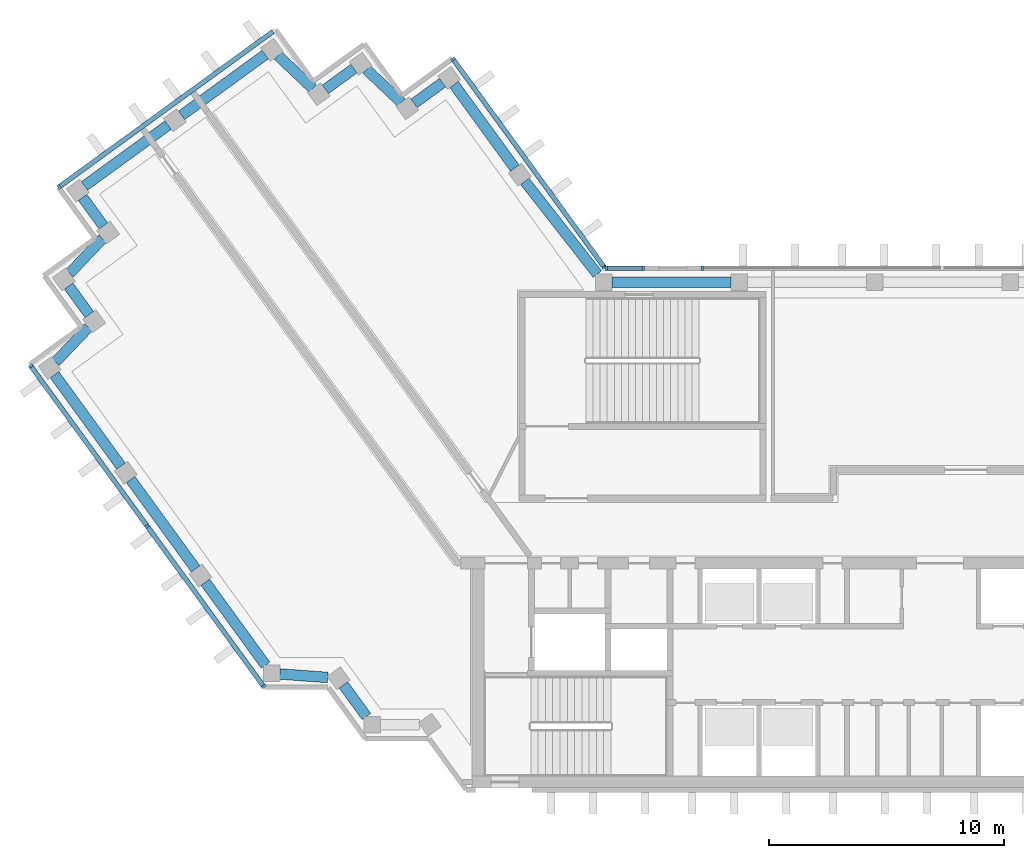
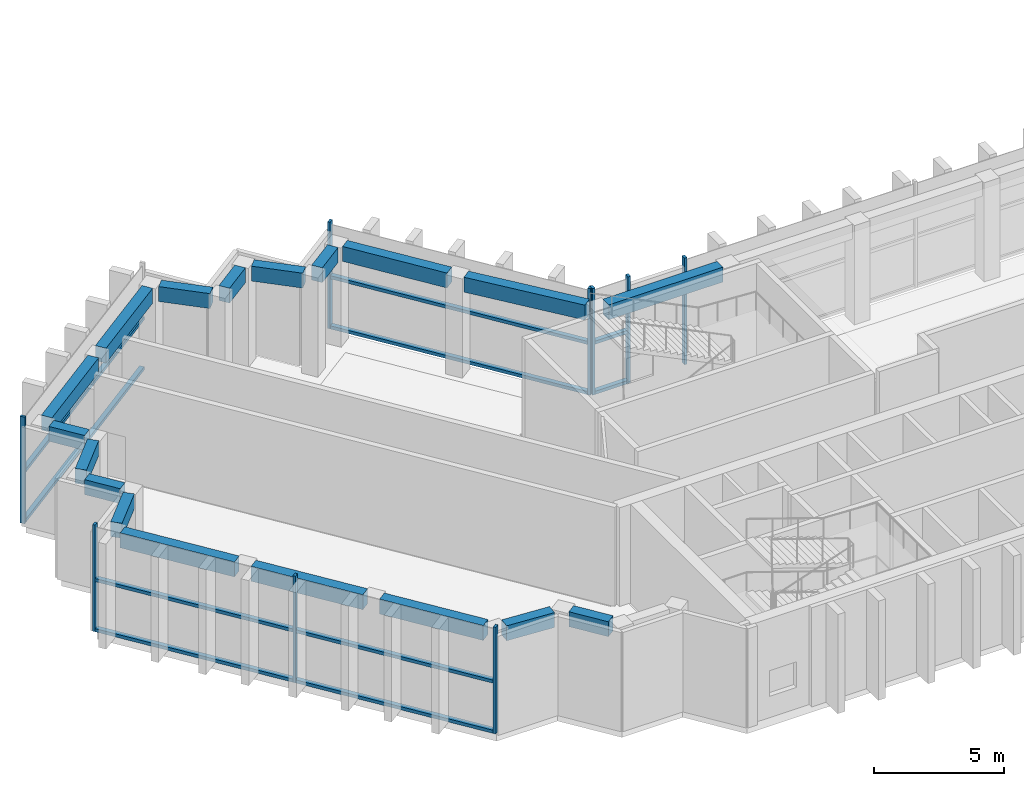
# One storey, part 2 of 14: 19 members, 18 beams, 5 elements without a shape of their own.
"""IFC4 building model written with IfcOpenShell, lengths in metres."""

from ifc_helpers import new_model, si_unit, direction, frame, origin, origin_2d, place, context, subcontext, project, spatial, rectangle, extrude, material, material_profile, profile_set, type_object, element, aggregate, save


model = new_model("IFC4")

# Units and contexts
model_context = context("Model", 3, precision=1e-05, world=origin(), true_north=direction((0.0, 1.0)))
body_context = subcontext(model_context, "Body", "Model", "MODEL_VIEW")
ifc_project = project(units=[si_unit("LENGTHUNIT", "METRE"), si_unit("AREAUNIT", "SQUARE_METRE"), si_unit("VOLUMEUNIT", "CUBIC_METRE"), si_unit("PLANEANGLEUNIT", "RADIAN"), si_unit("MASSUNIT", "GRAM", prefix="KILO")], contexts=[model_context])

# Site, building, storey
site_placement = place(None, origin())
site = spatial("IfcSite", under=ifc_project, at=site_placement, CompositionType="ELEMENT")
building_placement = place(site_placement, origin())
building = spatial("IfcBuilding", under=site, at=building_placement, Name="Quipu Civic Tower", CompositionType="ELEMENT")
storey_placement = place(building_placement, frame((0.0, 0.0, 248.0)))
storey = spatial("IfcBuildingStorey", under=building, at=storey_placement, Name="L58", CompositionType="ELEMENT", Elevation=248.0)

# Curtain wall, members
ifc_material_1 = material(Name="Insulated glass unit", Category="glass")
curtain_wall_type = type_object("IfcCurtainWallType", Name="Sky lobby and refuge curtain wall CW5", PredefinedType="NOTDEFINED", material=ifc_material_1)
curtain_wall_1_placement = place(storey_placement, origin())
curtain_wall_1 = element("IfcCurtainWall", 1, at=curtain_wall_1_placement, inside=storey, type_object=curtain_wall_type, Name="Sky lobby and refuge curtain wall CW5 L58 run 1", PredefinedType="NOTDEFINED")
ifc_material_2 = material(Name="Anodised aluminium", Category="aluminium")
ifc_material_profile_1 = material_profile(ifc_material_2, rectangle(XDim=0.199951171875, YDim=0.110107421875, at=origin_2d()), Name="RECT 200x110")
ifc_profile_set_1 = profile_set([ifc_material_profile_1], Name="Anodised aluminium")
member_type_1 = type_object("IfcMemberType", Name="Mullion CW5", PredefinedType="MULLION", material=ifc_profile_set_1)
member_1_placement = place(storey_placement, frame((-14.37646484375, 11.14453125, 0.074951171875), z_axis=(0.0, 0.0, 1.0), x_axis=(-0.809015163947, -0.587787771652, 0.0)))
member_1 = element("IfcMember", 2, at=member_1_placement, type_object=member_type_1, Name="CW5 mullion 1", PredefinedType="MULLION", context=body_context, shape_type="SweptSolid", body=[
    extrude(rectangle(XDim=0.199951171875, YDim=0.110107421875, at=origin_2d()), origin(), (0.0, 0.0, 1.0), 5.0),
])
member_2_placement = place(storey_placement, frame((-20.803466796875, 19.990478515625, 0.074951171875), z_axis=(0.0, 0.0, 1.0), x_axis=(-0.809015163947, -0.587787771652, 0.0)))
member_2 = element("IfcMember", 3, at=member_2_placement, type_object=member_type_1, Name="CW5 mullion 2", PredefinedType="MULLION", context=body_context, shape_type="SweptSolid", body=[
    extrude(rectangle(XDim=0.199951171875, YDim=0.110107421875, at=origin_2d()), origin(), (0.0, 0.0, 1.0), 5.0),
])

# Curtain wall, member
curtain_wall_2_placement = place(storey_placement, origin())
curtain_wall_2 = element("IfcCurtainWall", 4, at=curtain_wall_2_placement, inside=storey, type_object=curtain_wall_type, Name="Sky lobby and refuge curtain wall CW5 L58 run 6", PredefinedType="NOTDEFINED")
member_3_placement = place(storey_placement, frame((-37.556884765625, 14.561279296875, 0.074951171875), z_axis=(0.0, 0.0, 1.0), x_axis=(0.587787753918, -0.809015176832, 0.0)))
member_3 = element("IfcMember", 5, at=member_3_placement, type_object=member_type_1, Name="CW5 mullion 2", PredefinedType="MULLION", context=body_context, shape_type="SweptSolid", body=[
    extrude(rectangle(XDim=0.199951171875, YDim=0.110107421875, at=origin_2d()), origin(), (0.0, 0.0, 1.0), 5.0),
])

# Curtain wall, members
curtain_wall_3_placement = place(storey_placement, origin())
curtain_wall_3 = element("IfcCurtainWall", 6, at=curtain_wall_3_placement, inside=storey, type_object=curtain_wall_type, Name="Sky lobby and refuge curtain wall CW5 L58 run 11", PredefinedType="NOTDEFINED")
member_4_placement = place(storey_placement, frame((-38.763671875, 6.941650390625, 0.074951171875), z_axis=(0.0, 0.0, 1.0), x_axis=(0.809016278475, 0.587786237643, 0.0)))
member_4 = element("IfcMember", 7, at=member_4_placement, type_object=member_type_1, Name="CW5 mullion 1", PredefinedType="MULLION", context=body_context, shape_type="SweptSolid", body=[
    extrude(rectangle(XDim=0.199951171875, YDim=0.110107421875, at=origin_2d()), origin(), (0.0, 0.0, 1.0), 5.0),
])
member_5_placement = place(storey_placement, frame((-33.81298828125, 0.12744140625, 0.074951171875), z_axis=(0.0, 0.0, 1.0), x_axis=(0.809016278475, 0.587786237643, 0.0)))
member_5 = element("IfcMember", 8, at=member_5_placement, type_object=member_type_1, Name="CW5 mullion 2", PredefinedType="MULLION", context=body_context, shape_type="SweptSolid", body=[
    extrude(rectangle(XDim=0.199951171875, YDim=0.110107421875, at=origin_2d()), origin(), (0.0, 0.0, 1.0), 5.0),
])
member_6_placement = place(storey_placement, frame((-28.862060546875, -6.686767578125, 0.074951171875), z_axis=(0.0, 0.0, 1.0), x_axis=(0.809016278475, 0.587786237643, 0.0)))
member_6 = element("IfcMember", 9, at=member_6_placement, type_object=member_type_1, Name="CW5 mullion 3", PredefinedType="MULLION", context=body_context, shape_type="SweptSolid", body=[
    extrude(rectangle(XDim=0.199951171875, YDim=0.110107421875, at=origin_2d()), origin(), (0.0, 0.0, 1.0), 5.0),
])

# Curtain wall, member
curtain_wall_4_placement = place(storey_placement, origin())
curtain_wall_4 = element("IfcCurtainWall", 10, at=curtain_wall_4_placement, inside=storey, type_object=curtain_wall_type, Name="Sky lobby and refuge curtain wall CW5 L58 run 36", PredefinedType="NOTDEFINED")
member_7_placement = place(storey_placement, frame((-10.20849609375, 11.10009765625, 0.074951171875), z_axis=(0.0, 0.0, 1.0), x_axis=(0.0, -1.0, 0.0)))
member_7 = element("IfcMember", 11, at=member_7_placement, type_object=member_type_1, Name="CW5 mullion 3", PredefinedType="MULLION", context=body_context, shape_type="SweptSolid", body=[
    extrude(rectangle(XDim=0.199951171875, YDim=0.110107421875, at=origin_2d()), origin(), (0.0, 0.0, 1.0), 5.0),
])
aggregate(curtain_wall_4, [member_7])

# Curtain wall, members
curtain_wall_5_placement = place(storey_placement, origin())
curtain_wall_5 = element("IfcCurtainWall", 12, at=curtain_wall_5_placement, inside=storey, type_object=curtain_wall_type, Name="Sky lobby and refuge curtain wall CW5 L58 run 38", PredefinedType="NOTDEFINED")
member_8_placement = place(storey_placement, frame((-12.7099609375, 11.10009765625, 0.074951171875), z_axis=(0.0, 0.0, 1.0), x_axis=(0.0, -1.0, 0.0)))
member_8 = element("IfcMember", 13, at=member_8_placement, type_object=member_type_1, Name="CW5 mullion 1", PredefinedType="MULLION", context=body_context, shape_type="SweptSolid", body=[
    extrude(rectangle(XDim=0.199951171875, YDim=0.110107421875, at=origin_2d()), origin(), (0.0, 0.0, 1.0), 5.0),
])
member_9_placement = place(storey_placement, frame((-14.289306640625, 11.10009765625, 0.074951171875), z_axis=(0.0, 0.0, 1.0), x_axis=(0.0, -1.0, 0.0)))
member_9 = element("IfcMember", 14, at=member_9_placement, type_object=member_type_1, Name="CW5 mullion 2", PredefinedType="MULLION", context=body_context, shape_type="SweptSolid", body=[
    extrude(rectangle(XDim=0.199951171875, YDim=0.110107421875, at=origin_2d()), origin(), (0.0, 0.0, 1.0), 5.0),
])

# Beams
ifc_material_3 = material(Name="Concrete C50/60", Category="concrete")
ifc_material_profile_2 = material_profile(ifc_material_3, rectangle(XDim=0.449951171875, YDim=0.699951171875, at=origin_2d()), Name="RC450x700")
ifc_profile_set_2 = profile_set([ifc_material_profile_2], Name="Concrete C50/60")
beam_type = type_object("IfcBeamType", Name="Spandrel beam RC 450x700 C50/60", PredefinedType="SPANDREL", material=ifc_profile_set_2)
beam_1_placement = place(storey_placement, frame((-18.179443359375, 15.358154296875, 4.300048828125), z_axis=(-0.588201428764, 0.808714460857, 0.0), x_axis=(-0.808714460857, -0.588201428764, 0.0)))
element("IfcBeam", 15, at=beam_1_placement, inside=storey, type_object=beam_type, Name="Spandrel beam L58 W-IN-01 to T-Wi.0-W22", PredefinedType="SPANDREL", context=body_context, shape_type="SweptSolid", body=[
    extrude(rectangle(XDim=0.449951171875, YDim=0.699951171875, at=origin_2d()), origin(), (0.0, 0.0, 1.0), 4.394287109375),
])
beam_2_placement = place(storey_placement, frame((-21.25341796875, 18.989501953125, 4.300048828125), z_axis=(-0.809461336076, -0.587173181776, 0.0), x_axis=(0.587173181776, -0.809461336076, 0.0)))
element("IfcBeam", 16, at=beam_2_placement, inside=storey, type_object=beam_type, Name="Spandrel beam L58 T-Wi.0-W22 to T-Wi.1-W22", PredefinedType="SPANDREL", context=body_context, shape_type="SweptSolid", body=[
    extrude(rectangle(XDim=0.449951171875, YDim=0.699951171875, at=origin_2d()), origin(), (0.0, 0.0, 1.0), 1.498046875),
])
beam_3_placement = place(storey_placement, frame((-23.00732421875, 18.1494140625, 4.300048828125), z_axis=(-0.72511931772, 0.6886232461, 0.0), x_axis=(-0.6886232461, -0.72511931772, 0.0)))
element("IfcBeam", 17, at=beam_3_placement, inside=storey, type_object=beam_type, Name="Spandrel beam L58 T-Wi.1-W22 to T-Wi.2-W22", PredefinedType="SPANDREL", context=body_context, shape_type="SweptSolid", body=[
    extrude(rectangle(XDim=0.449951171875, YDim=0.699951171875, at=origin_2d()), origin(), (0.0, 0.0, 1.0), 2.03369140625),
])
beam_4_placement = place(storey_placement, frame((-25.02294921875, 19.589111328125, 4.300048828125), z_axis=(-0.808644589435, -0.588297482553, 0.0), x_axis=(0.588297482553, -0.808644589435, 0.0)))
element("IfcBeam", 18, at=beam_4_placement, inside=storey, type_object=beam_type, Name="Spandrel beam L58 T-Wi.2-W22 to T-Wi.3-W22", PredefinedType="SPANDREL", context=body_context, shape_type="SweptSolid", body=[
    extrude(rectangle(XDim=0.449951171875, YDim=0.699951171875, at=origin_2d()), origin(), (0.0, 0.0, 1.0), 1.500244140625),
])
beam_5_placement = place(storey_placement, frame((-26.777099609375, 18.74560546875, 4.300048828125), z_axis=(-0.725359138958, 0.688370626574, 0.0), x_axis=(-0.688370626574, -0.725359138958, 0.0)))
element("IfcBeam", 19, at=beam_5_placement, inside=storey, type_object=beam_type, Name="Spandrel beam L58 T-Wi.3-W22 to T-Wi.4-W22", PredefinedType="SPANDREL", context=body_context, shape_type="SweptSolid", body=[
    extrude(rectangle(XDim=0.449951171875, YDim=0.699951171875, at=origin_2d()), origin(), (0.0, 0.0, 1.0), 2.032958984375),
])
beam_6_placement = place(storey_placement, frame((-28.793212890625, 20.184326171875, 4.300048828125), z_axis=(-0.809146152767, -0.587607439931, 0.0), x_axis=(0.587607439931, -0.809146152767, 0.0)))
element("IfcBeam", 20, at=beam_6_placement, inside=storey, type_object=beam_type, Name="Spandrel beam L58 T-Wi.4-W22 to TIP-W-01-W22", PredefinedType="SPANDREL", context=body_context, shape_type="SweptSolid", body=[
    extrude(rectangle(XDim=0.449951171875, YDim=0.699951171875, at=origin_2d()), origin(), (0.0, 0.0, 1.0), 4.400390625),
])
beam_7_placement = place(storey_placement, frame((-32.920166015625, 17.187255859375, 4.300048828125), z_axis=(-0.809117270763, -0.587647208921, 0.0), x_axis=(0.587647208921, -0.809117270763, 0.0)))
element("IfcBeam", 21, at=beam_7_placement, inside=storey, type_object=beam_type, Name="Spandrel beam L58 TIP-W-01-W22 to T-Wo.0-W22", PredefinedType="SPANDREL", context=body_context, shape_type="SweptSolid", body=[
    extrude(rectangle(XDim=0.449951171875, YDim=0.699951171875, at=origin_2d()), origin(), (0.0, 0.0, 1.0), 4.40185546875),
])
beam_8_placement = place(storey_placement, frame((-36.55908203125, 14.112060546875, 4.300048828125), z_axis=(0.588345920092, -0.808609348394, 0.0), x_axis=(0.808609348394, 0.588345920092, 0.0)))
element("IfcBeam", 22, at=beam_8_placement, inside=storey, type_object=beam_type, Name="Spandrel beam L58 T-Wo.0-W22 to T-Wo.1-W22", PredefinedType="SPANDREL", context=body_context, shape_type="SweptSolid", body=[
    extrude(rectangle(XDim=0.449951171875, YDim=0.699951171875, at=origin_2d()), origin(), (0.0, 0.0, 1.0), 1.499755859375),
])
beam_9_placement = place(storey_placement, frame((-35.7158203125, 12.358154296875, 4.300048828125), z_axis=(-0.688247466856, -0.725475998477, 0.0), x_axis=(0.725475998477, -0.688247466856, 0.0)))
element("IfcBeam", 23, at=beam_9_placement, inside=storey, type_object=beam_type, Name="Spandrel beam L58 T-Wo.1-W22 to T-Wo.2-W22", PredefinedType="SPANDREL", context=body_context, shape_type="SweptSolid", body=[
    extrude(rectangle(XDim=0.449951171875, YDim=0.699951171875, at=origin_2d()), origin(), (0.0, 0.0, 1.0), 2.032958984375),
])
beam_10_placement = place(storey_placement, frame((-37.154541015625, 10.341796875, 4.300048828125), z_axis=(0.587164895097, -0.809467347066, 0.0), x_axis=(0.809467347066, 0.587164895097, 0.0)))
element("IfcBeam", 24, at=beam_10_placement, inside=storey, type_object=beam_type, Name="Spandrel beam L58 T-Wo.2-W22 to T-Wo.3-W22", PredefinedType="SPANDREL", context=body_context, shape_type="SweptSolid", body=[
    extrude(rectangle(XDim=0.449951171875, YDim=0.699951171875, at=origin_2d()), origin(), (0.0, 0.0, 1.0), 1.500244140625),
])
beam_11_placement = place(storey_placement, frame((-36.3134765625, 8.586181640625, 4.300048828125), z_axis=(-0.689175330605, -0.724594620244, 0.0), x_axis=(0.724594620244, -0.689175330605, 0.0)))
element("IfcBeam", 25, at=beam_11_placement, inside=storey, type_object=beam_type, Name="Spandrel beam L58 T-Wo.3-W22 to T-Wo.4-W22", PredefinedType="SPANDREL", context=body_context, shape_type="SweptSolid", body=[
    extrude(rectangle(XDim=0.449951171875, YDim=0.699951171875, at=origin_2d()), origin(), (0.0, 0.0, 1.0), 2.033447265625),
])
beam_12_placement = place(storey_placement, frame((-37.754150390625, 6.57177734375, 4.300048828125), z_axis=(0.587905928359, -0.808929304328, 0.0), x_axis=(0.808929304328, 0.587905928359, 0.0)))
element("IfcBeam", 26, at=beam_12_placement, inside=storey, type_object=beam_type, Name="Spandrel beam L58 T-Wo.4-W22 to W-OUT-02", PredefinedType="SPANDREL", context=body_context, shape_type="SweptSolid", body=[
    extrude(rectangle(XDim=0.449951171875, YDim=0.699951171875, at=origin_2d()), origin(), (0.0, 0.0, 1.0), 4.80712890625),
])
beam_13_placement = place(storey_placement, frame((-34.5166015625, 2.116943359375, 4.300048828125), z_axis=(0.587788656305, -0.809014521204, 0.0), x_axis=(0.809014521204, 0.587788656305, 0.0)))
element("IfcBeam", 27, at=beam_13_placement, inside=storey, type_object=beam_type, Name="Spandrel beam L58 W-OUT-02 to W-OUT-01", PredefinedType="SPANDREL", context=body_context, shape_type="SweptSolid", body=[
    extrude(rectangle(XDim=0.449951171875, YDim=0.699951171875, at=origin_2d()), origin(), (0.0, 0.0, 1.0), 4.7001953125),
])
beam_14_placement = place(storey_placement, frame((-31.342529296875, -2.251953125, 4.300048828125), z_axis=(0.58777550284, -0.809024077677, 0.0), x_axis=(0.809024077677, 0.58777550284, 0.0)))
element("IfcBeam", 28, at=beam_14_placement, inside=storey, type_object=beam_type, Name="Spandrel beam L58 W-OUT-01 to J-Wo.0", PredefinedType="SPANDREL", context=body_context, shape_type="SweptSolid", body=[
    extrude(rectangle(XDim=0.449951171875, YDim=0.699951171875, at=origin_2d()), origin(), (0.0, 0.0, 1.0), 4.36083984375),
])
beam_15_placement = place(storey_placement, frame((-28.175048828125, -6.155517578125, 4.300048828125), z_axis=(0.99737333325, -0.072432272649, 0.0), x_axis=(0.072432272649, 0.99737333325, 0.0)))
element("IfcBeam", 29, at=beam_15_placement, inside=storey, type_object=beam_type, Name="Spandrel beam L58 J-Wo.0 to J-Wo.1", PredefinedType="SPANDREL", context=body_context, shape_type="SweptSolid", body=[
    extrude(rectangle(XDim=0.449951171875, YDim=0.699951171875, at=origin_2d()), origin(), (0.0, 0.0, 1.0), 2.04931640625),
])
beam_16_placement = place(storey_placement, frame((-25.468505859375, -6.6201171875, 4.300048828125), z_axis=(0.588407300614, -0.80856468423, 0.0), x_axis=(0.80856468423, 0.588407300614, 0.0)))
element("IfcBeam", 30, at=beam_16_placement, inside=storey, type_object=beam_type, Name="Spandrel beam L58 J-Wo.1 to J-Wo.2", PredefinedType="SPANDREL", context=body_context, shape_type="SweptSolid", body=[
    extrude(rectangle(XDim=0.449951171875, YDim=0.699951171875, at=origin_2d()), origin(), (0.0, 0.0, 1.0), 1.663330078125),
])
beam_17_placement = place(storey_placement, frame((-8.987060546875, 10.5, 4.300048828125), z_axis=(-1.0, 0.0, 0.0), x_axis=(0.0, -1.0, 0.0)))
element("IfcBeam", 31, at=beam_17_placement, inside=storey, type_object=beam_type, Name="Spandrel beam L58 FRONT-04 to J-Wi.0", PredefinedType="SPANDREL", context=body_context, shape_type="SweptSolid", body=[
    extrude(rectangle(XDim=0.449951171875, YDim=0.699951171875, at=origin_2d()), origin(), (0.0, 0.0, 1.0), 5.05810546875),
])
beam_18_placement = place(storey_placement, frame((-14.6689453125, 10.85009765625, 4.300048828125), z_axis=(-0.616106034519, 0.787663223865, 0.0), x_axis=(-0.787663223865, -0.616106034519, 0.0)))
element("IfcBeam", 32, at=beam_18_placement, inside=storey, type_object=beam_type, Name="Spandrel beam L58 J-Wi.0 to W-IN-01", PredefinedType="SPANDREL", context=body_context, shape_type="SweptSolid", body=[
    extrude(rectangle(XDim=0.449951171875, YDim=0.699951171875, at=origin_2d()), origin(), (0.0, 0.0, 1.0), 5.013427734375),
])

# Member
ifc_material_4 = material(Name="Anodised aluminium", Category="aluminium")
ifc_material_profile_3 = material_profile(ifc_material_4, rectangle(XDim=0.199951171875, YDim=0.14990234375, at=origin_2d()), Name="RECT 200x150")
ifc_profile_set_3 = profile_set([ifc_material_profile_3], Name="Anodised aluminium")
member_type_2 = type_object("IfcMemberType", Name="Transom CW5", PredefinedType="USERDEFINED", material=ifc_profile_set_3)
member_10_placement = place(storey_placement, frame((-14.408935546875, 11.18896484375, 0.14990234375), z_axis=(-0.587780027336, 0.809020790503, 0.0), x_axis=(-0.809020790503, -0.587780027336, 0.0)))
member_10 = element("IfcMember", 33, at=member_10_placement, type_object=member_type_2, Name="CW5 transom 1.1", ObjectType="TRANSOM", PredefinedType="USERDEFINED", context=body_context, shape_type="SweptSolid", body=[
    extrude(rectangle(XDim=0.199951171875, YDim=0.14990234375, at=origin_2d()), origin(), (0.0, 0.0, 1.0), 10.82421875),
])

member_11_placement = place(storey_placement, frame((-14.408935546875, 11.18896484375, 2.5), z_axis=(-0.587780027336, 0.809020790503, 0.0), x_axis=(-0.809020790503, -0.587780027336, 0.0)))
member_11 = element("IfcMember", 34, at=member_11_placement, type_object=member_type_2, Name="CW5 transom 1.2", ObjectType="TRANSOM", PredefinedType="USERDEFINED", context=body_context, shape_type="SweptSolid", body=[
    extrude(rectangle(XDim=0.199951171875, YDim=0.14990234375, at=origin_2d()), origin(), (0.0, 0.0, 1.0), 10.82421875),
])

aggregate(curtain_wall_1, [member_1, member_2, member_10, member_11])

member_12_placement = place(storey_placement, frame((-28.4677734375, 21.1650390625, 0.14990234375), z_axis=(-0.809008905304, -0.587796385782, 0.0), x_axis=(0.587796385782, -0.809008905304, 0.0)))
member_12 = element("IfcMember", 35, at=member_12_placement, type_object=member_type_2, Name="CW5 transom 1.1", ObjectType="TRANSOM", PredefinedType="USERDEFINED", context=body_context, shape_type="SweptSolid", body=[
    extrude(rectangle(XDim=0.199951171875, YDim=0.14990234375, at=origin_2d()), origin(), (0.0, 0.0, 1.0), 11.179931640625),
])

member_13_placement = place(storey_placement, frame((-28.4677734375, 21.1650390625, 2.5), z_axis=(-0.809008905304, -0.587796385782, 0.0), x_axis=(0.587796385782, -0.809008905304, 0.0)))
member_13 = element("IfcMember", 36, at=member_13_placement, type_object=member_type_2, Name="CW5 transom 1.2", ObjectType="TRANSOM", PredefinedType="USERDEFINED", context=body_context, shape_type="SweptSolid", body=[
    extrude(rectangle(XDim=0.199951171875, YDim=0.14990234375, at=origin_2d()), origin(), (0.0, 0.0, 1.0), 11.179931640625),
])

aggregate(curtain_wall_2, [member_3, member_12, member_13])

member_14_placement = place(storey_placement, frame((-38.7314453125, 6.897216796875, 0.14990234375), z_axis=(0.587783964052, -0.809017930335, 0.0), x_axis=(0.809017930335, 0.587783964052, 0.0)))
member_14 = element("IfcMember", 37, at=member_14_placement, type_object=member_type_2, Name="CW5 transom 1.1", ObjectType="TRANSOM", PredefinedType="USERDEFINED", context=body_context, shape_type="SweptSolid", body=[
    extrude(rectangle(XDim=0.199951171875, YDim=0.14990234375, at=origin_2d()), origin(), (0.0, 0.0, 1.0), 8.31298828125),
])

member_15_placement = place(storey_placement, frame((-38.7314453125, 6.897216796875, 2.5), z_axis=(0.587783964052, -0.809017930335, 0.0), x_axis=(0.809017930335, 0.587783964052, 0.0)))
member_15 = element("IfcMember", 38, at=member_15_placement, type_object=member_type_2, Name="CW5 transom 1.2", ObjectType="TRANSOM", PredefinedType="USERDEFINED", context=body_context, shape_type="SweptSolid", body=[
    extrude(rectangle(XDim=0.199951171875, YDim=0.14990234375, at=origin_2d()), origin(), (0.0, 0.0, 1.0), 8.31298828125),
])

member_16_placement = place(storey_placement, frame((-33.780517578125, 0.0830078125, 0.14990234375), z_axis=(0.587764741485, -0.809031895952, 0.0), x_axis=(0.809031895952, 0.587764741485, 0.0)))
member_16 = element("IfcMember", 39, at=member_16_placement, type_object=member_type_2, Name="CW5 transom 2.1", ObjectType="TRANSOM", PredefinedType="USERDEFINED", context=body_context, shape_type="SweptSolid", body=[
    extrude(rectangle(XDim=0.199951171875, YDim=0.14990234375, at=origin_2d()), origin(), (0.0, 0.0, 1.0), 8.312744140625),
])

member_17_placement = place(storey_placement, frame((-33.780517578125, 0.0830078125, 2.5), z_axis=(0.587764741485, -0.809031895952, 0.0), x_axis=(0.809031895952, 0.587764741485, 0.0)))
member_17 = element("IfcMember", 40, at=member_17_placement, type_object=member_type_2, Name="CW5 transom 2.2", ObjectType="TRANSOM", PredefinedType="USERDEFINED", context=body_context, shape_type="SweptSolid", body=[
    extrude(rectangle(XDim=0.199951171875, YDim=0.14990234375, at=origin_2d()), origin(), (0.0, 0.0, 1.0), 8.312744140625),
])

aggregate(curtain_wall_3, [member_4, member_5, member_6, member_14, member_15, member_16, member_17])

member_18_placement = place(storey_placement, frame((-12.764892578125, 11.10009765625, 0.14990234375), z_axis=(-1.0, 0.0, 0.0), x_axis=(0.0, -1.0, 0.0)))
member_18 = element("IfcMember", 41, at=member_18_placement, type_object=member_type_2, Name="CW5 transom 1.1", ObjectType="TRANSOM", PredefinedType="USERDEFINED", context=body_context, shape_type="SweptSolid", body=[
    extrude(rectangle(XDim=0.199951171875, YDim=0.14990234375, at=origin_2d()), origin(), (0.0, 0.0, 1.0), 1.46923828125),
])

member_19_placement = place(storey_placement, frame((-12.764892578125, 11.10009765625, 2.5), z_axis=(-1.0, 0.0, 0.0), x_axis=(0.0, -1.0, 0.0)))
member_19 = element("IfcMember", 42, at=member_19_placement, type_object=member_type_2, Name="CW5 transom 1.2", ObjectType="TRANSOM", PredefinedType="USERDEFINED", context=body_context, shape_type="SweptSolid", body=[
    extrude(rectangle(XDim=0.199951171875, YDim=0.14990234375, at=origin_2d()), origin(), (0.0, 0.0, 1.0), 1.46923828125),
])

aggregate(curtain_wall_5, [member_8, member_9, member_18, member_19])

save(model, "model.ifc")
